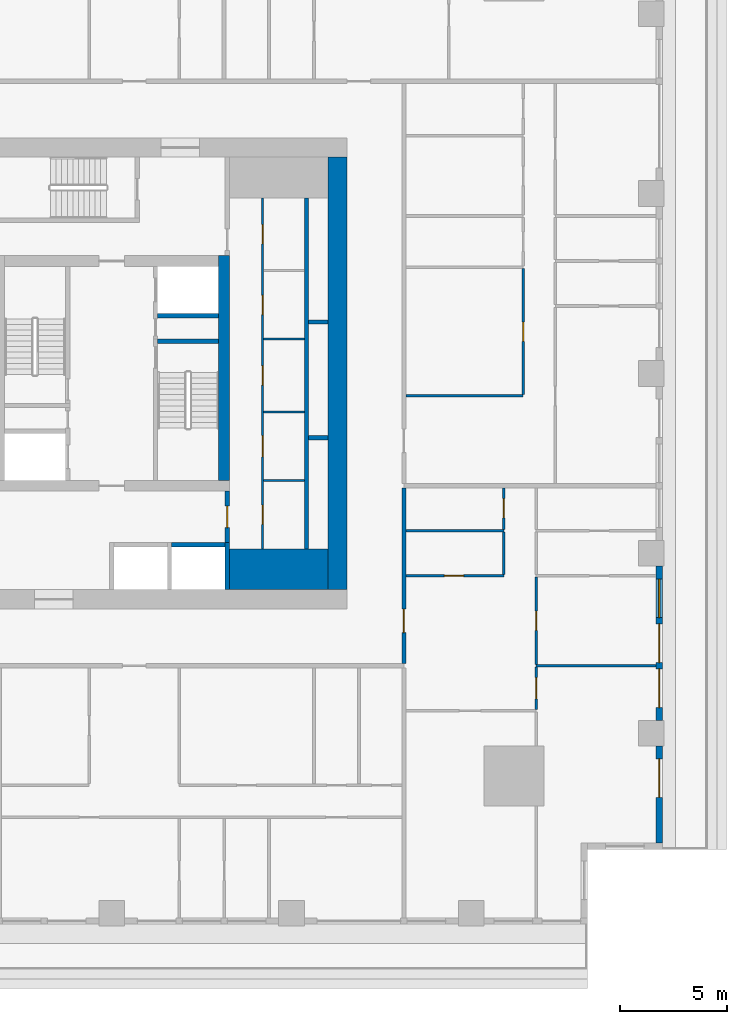
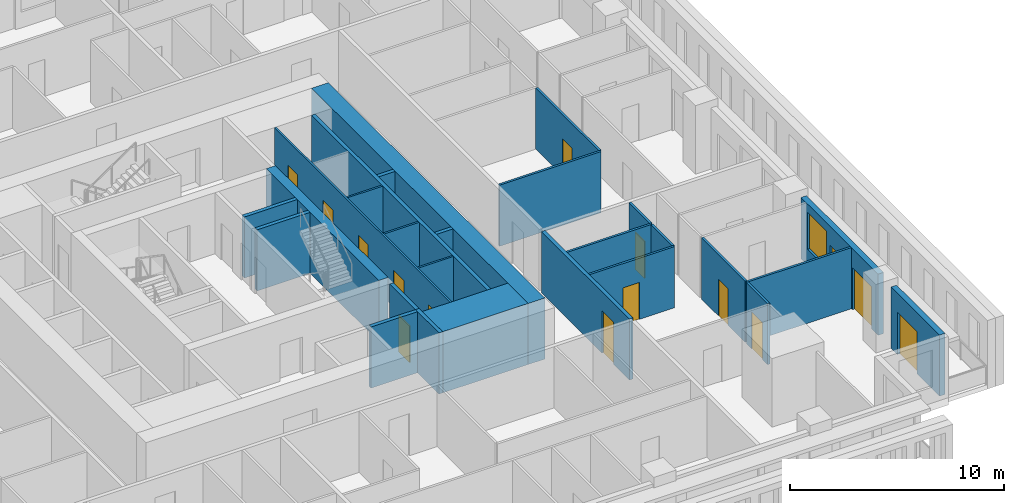
# One storey, part 5 of 15: 27 walls, 15 doors, 1 window, 16 openings.
"""IFC4 building model written with IfcOpenShell, lengths in metres."""

from ifc_helpers import new_model, si_unit, direction, frame, frame_2d, origin, place, context, subcontext, project, spatial, rectangle, extrude, material, layer, layer_set, type_object, element, fill, save


model = new_model("IFC4")

# Units and contexts
model_context = context("Model", 3, precision=1e-05, world=origin(), true_north=direction((0.0, 1.0)))
body_context = subcontext(model_context, "Body", "Model", "MODEL_VIEW")
ifc_project = project(units=[si_unit("LENGTHUNIT", "METRE"), si_unit("AREAUNIT", "SQUARE_METRE"), si_unit("VOLUMEUNIT", "CUBIC_METRE"), si_unit("PLANEANGLEUNIT", "RADIAN"), si_unit("MASSUNIT", "GRAM", prefix="KILO")], contexts=[model_context])

# Site, building, storey
site_placement = place(None, origin())
site = spatial("IfcSite", under=ifc_project, at=site_placement, CompositionType="ELEMENT")
building_placement = place(site_placement, origin())
building = spatial("IfcBuilding", under=site, at=building_placement, Name="Khepri Terraces", CompositionType="ELEMENT")
storey_placement = place(building_placement, frame((0.0, 0.0, 118.199951171875)))
storey = spatial("IfcBuildingStorey", under=building, at=storey_placement, Name="L28", CompositionType="ELEMENT", Elevation=118.199951171875)

# Walls
ifc_material_1 = material(Name="Concrete C70/85", Category="concrete")
ifc_layer_1 = layer(ifc_material_1, 1.89990234375, Name="Concrete C70/85", Category="concrete")
ifc_layer_set_1 = layer_set([ifc_layer_1], Name="Concrete C70/85")
wall_type_1 = type_object("IfcWallType", Name="Core wall 1900 C70/85", PredefinedType="SHEAR", material=ifc_layer_set_1)
wall_1_placement = place(storey_placement, frame((5.5, -9.14990234375, 0.0), z_axis=(0.0, 0.0, 1.0), x_axis=(1.0, 0.0, 0.0)))
element("IfcWall", 1, at=wall_1_placement, inside=storey, type_object=wall_type_1, Name="Core wall PR02 L28", PredefinedType="SHEAR", context=body_context, shape_type="SweptSolid", body=[
    extrude(rectangle(XDim=4.60009765625, YDim=1.89990234375, at=frame_2d((2.300048828125, 0.0))), origin(), (0.0, 0.0, 1.0), 3.47998046875),
])
ifc_layer_2 = layer(ifc_material_1, 0.199951171875, Name="Concrete C70/85", Category="concrete")
ifc_layer_set_2 = layer_set([ifc_layer_2], Name="Concrete C70/85")
wall_type_2 = type_object("IfcWallType", Name="Core wall 200 C70/85", PredefinedType="SHEAR", material=ifc_layer_set_2)
wall_2_placement = place(storey_placement, frame((2.14990234375, 1.5, 0.0), z_axis=(0.0, 0.0, 1.0), x_axis=(1.0, 0.0, 0.0)))
element("IfcWall", 2, at=wall_2_placement, inside=storey, type_object=wall_type_2, Name="Core wall ST04 L28", PredefinedType="SHEAR", context=body_context, shape_type="SweptSolid", body=[
    extrude(rectangle(XDim=2.85009765625, YDim=0.199951171875, at=frame_2d((1.425048828125, 0.0))), origin(), (0.0, 0.0, 1.0), 3.47998046875),
])
wall_3_placement = place(storey_placement, frame((5.39990234375, -10.10009765625, 0.0), z_axis=(0.0, 0.0, 1.0), x_axis=(0.0, 1.0, 0.0)))
element("IfcWall", 3, at=wall_3_placement, inside=storey, type_object=wall_type_2, Name="Core wall SH03 L28", PredefinedType="SHEAR", context=body_context, shape_type="SweptSolid", body=[
    extrude(rectangle(XDim=2.2001953125, YDim=0.199951171875, at=frame_2d((1.10009765625, 0.0))), origin(), (0.0, 0.0, 1.0), 3.47998046875),
])
wall_4_placement = place(storey_placement, frame((9.10009765625, -8.199951171875, 0.0), z_axis=(0.0, 0.0, 1.0), x_axis=(0.0, 1.0, 0.0)))
element("IfcWall", 4, at=wall_4_placement, inside=storey, type_object=wall_type_2, Name="Core wall SH05 L28", PredefinedType="SHEAR", context=body_context, shape_type="SweptSolid", body=[
    extrude(rectangle(XDim=16.39990234375, YDim=0.199951171875, at=frame_2d((8.199951171875, 0.0))), origin(), (0.0, 0.0, 1.0), 3.47998046875),
])
wall_5_placement = place(storey_placement, frame((2.800048828125, -8.0, 0.0), z_axis=(0.0, 0.0, 1.0), x_axis=(1.0, 0.0, 0.0)))
element("IfcWall", 5, at=wall_5_placement, inside=storey, type_object=wall_type_2, Name="Core wall SH07 L28", PredefinedType="SHEAR", context=body_context, shape_type="SweptSolid", body=[
    extrude(rectangle(XDim=2.5, YDim=0.199951171875, at=frame_2d((1.25, 0.0))), origin(), (0.0, 0.0, 1.0), 3.47998046875),
])
for number, where, z_axis, x_axis, name in (
    (6, (9.199951171875, -3.0, 0.0), (0.0, 0.0, 1.0), (1.0, 0.0, 0.0), "Core wall SH11 L28"),
    (7, (9.199951171875, 2.39990234375, 0.0), (0.0, 0.0, 1.0), (1.0, 0.0, 0.0), "Core wall SH16 L28"),
):
    element("IfcWall", number, at=place(storey_placement, frame(where, z_axis=z_axis, x_axis=x_axis)), inside=storey, type_object=wall_type_2, Name=name, PredefinedType="SHEAR", context=body_context, shape_type="SweptSolid", body=[
        extrude(rectangle(XDim=0.900146484375, YDim=0.199951171875, at=frame_2d((0.4501953125, 0.0))), origin(), (0.0, 0.0, 1.0), 3.47998046875),
    ])
wall_6_placement = place(storey_placement, frame((2.14990234375, 2.699951171875, 0.0), z_axis=(0.0, 0.0, 1.0), x_axis=(1.0, 0.0, 0.0)))
element("IfcWall", 8, at=wall_6_placement, inside=storey, type_object=wall_type_2, Name="Core wall SH18 L28", PredefinedType="SHEAR", context=body_context, shape_type="SweptSolid", body=[
    extrude(rectangle(XDim=2.85009765625, YDim=0.199951171875, at=frame_2d((1.425048828125, 0.0))), origin(), (0.0, 0.0, 1.0), 3.47998046875),
])
ifc_layer_3 = layer(ifc_material_1, 0.5, Name="Concrete C70/85", Category="concrete")
ifc_layer_set_3 = layer_set([ifc_layer_3], Name="Concrete C70/85")
wall_type_3 = type_object("IfcWallType", Name="Core wall 500 C70/85", PredefinedType="SHEAR", material=ifc_layer_set_3)
wall_7_placement = place(storey_placement, frame((5.25, -5.0, 0.0), z_axis=(0.0, 0.0, 1.0), x_axis=(0.0, 1.0, 0.0)))
element("IfcWall", 9, at=wall_7_placement, inside=storey, type_object=wall_type_3, Name="Core wall BX03 L28", PredefinedType="SHEAR", context=body_context, shape_type="SweptSolid", body=[
    extrude(rectangle(XDim=10.5, YDim=0.5, at=frame_2d((5.25, 0.0))), origin(), (0.0, 0.0, 1.0), 3.47998046875),
])
ifc_layer_4 = layer(ifc_material_1, 0.89990234375, Name="Concrete C70/85", Category="concrete")
ifc_layer_set_4 = layer_set([ifc_layer_4], Name="Concrete C70/85")
wall_type_4 = type_object("IfcWallType", Name="Core wall 900 C70/85", PredefinedType="SHEAR", material=ifc_layer_set_4)
wall_8_placement = place(storey_placement, frame((10.550048828125, -10.10009765625, 0.0), z_axis=(0.0, 0.0, 1.0), x_axis=(0.0, 1.0, 0.0)))
element("IfcWall", 10, at=wall_8_placement, inside=storey, type_object=wall_type_4, Name="Core wall OW-E L28", PredefinedType="SHEAR", context=body_context, shape_type="SweptSolid", body=[
    extrude(rectangle(XDim=20.2001953125, YDim=0.89990234375, at=frame_2d((10.10009765625, 0.0))), origin(), (0.0, 0.0, 1.0), 3.47998046875),
])

# Wall, openings, doors
ifc_material_2 = material(Name="Fire-rated gypsum board partition")
ifc_layer_5 = layer(ifc_material_2, 0.10009765625, Name="Fire-rated gypsum board partition")
ifc_layer_set_5 = layer_set([ifc_layer_5], Name="Fire-rated gypsum board partition")
wall_type_5 = type_object("IfcWallType", Name="WL-CORE-PART-100", PredefinedType="PARTITIONING", material=ifc_layer_set_5)
wall_9_placement = place(storey_placement, frame((7.050048828125, -8.199951171875, 0.0), z_axis=(0.0, 0.0, 1.0), x_axis=(0.0, 1.0, 0.0)))
wall_9 = element("IfcWall", 11, at=wall_9_placement, inside=storey, type_object=wall_type_5, Name="Core partition PT02 L28", PredefinedType="PARTITIONING", context=body_context, shape_type="SweptSolid", body=[
    extrude(rectangle(XDim=16.39990234375, YDim=0.10009765625, at=frame_2d((8.199951171875, 0.0))), origin(), (0.0, 0.0, 1.0), 3.47998046875),
])
opening_1_placement = place(wall_9_placement, frame((1.14990234375, 0.0, 0.0)))
opening_1 = element("IfcOpeningElement", 12, at=opening_1_placement, cuts=wall_9, Name="Opening L28-C22", PredefinedType="OPENING", context=body_context, shape_type="SweptSolid", body=[
    extrude(rectangle(XDim=0.89990234375, YDim=2.10009765625, at=frame_2d((0.449951171875, 1.050048828125))), frame((0.0, 0.06005859375, 0.0), z_axis=(0.0, -1.0, 0.0), x_axis=(1.0, 0.0, 0.0)), (0.0, 0.0, 1.0), 0.1201171875),
])
opening_2_placement = place(wall_9_placement, frame((4.300048828125, 0.0, 0.0)))
opening_2 = element("IfcOpeningElement", 13, at=opening_2_placement, cuts=wall_9, Name="Opening L28-C23", PredefinedType="OPENING", context=body_context, shape_type="SweptSolid", body=[
    extrude(rectangle(XDim=1.0, YDim=2.10009765625, at=frame_2d((0.5, 1.050048828125))), frame((0.0, 0.06005859375, 0.0), z_axis=(0.0, -1.0, 0.0), x_axis=(1.0, 0.0, 0.0)), (0.0, 0.0, 1.0), 0.1201171875),
])
opening_3_placement = place(wall_9_placement, frame((7.64990234375, 0.0, 0.0)))
opening_3 = element("IfcOpeningElement", 14, at=opening_3_placement, cuts=wall_9, Name="Opening L28-C24", PredefinedType="OPENING", context=body_context, shape_type="SweptSolid", body=[
    extrude(rectangle(XDim=0.89990234375, YDim=2.10009765625, at=frame_2d((0.449951171875, 1.050048828125))), frame((0.0, 0.06005859375, 0.0), z_axis=(0.0, -1.0, 0.0), x_axis=(1.0, 0.0, 0.0)), (0.0, 0.0, 1.0), 0.1201171875),
])
opening_4_placement = place(wall_9_placement, frame((10.949951171875, 0.0, 0.0)))
opening_4 = element("IfcOpeningElement", 15, at=opening_4_placement, cuts=wall_9, Name="Opening L28-C25", PredefinedType="OPENING", context=body_context, shape_type="SweptSolid", body=[
    extrude(rectangle(XDim=0.89990234375, YDim=2.10009765625, at=frame_2d((0.449951171875, 1.050048828125))), frame((0.0, 0.06005859375, 0.0), z_axis=(0.0, -1.0, 0.0), x_axis=(1.0, 0.0, 0.0)), (0.0, 0.0, 1.0), 0.1201171875),
])
opening_5_placement = place(wall_9_placement, frame((14.25, 0.0, 0.0)))
opening_5 = element("IfcOpeningElement", 16, at=opening_5_placement, cuts=wall_9, Name="Opening L28-C26", PredefinedType="OPENING", context=body_context, shape_type="SweptSolid", body=[
    extrude(rectangle(XDim=0.89990234375, YDim=2.10009765625, at=frame_2d((0.449951171875, 1.050048828125))), frame((0.0, 0.06005859375, 0.0), z_axis=(0.0, -1.0, 0.0), x_axis=(1.0, 0.0, 0.0)), (0.0, 0.0, 1.0), 0.1201171875),
])
ifc_material_3 = material(Name="Painted steel", Category="steel")
door_type_1 = type_object("IfcDoorType", Name="DR-CORE-SERVICE-900", OperationType="NOTDEFINED", PredefinedType="DOOR", material=ifc_material_3)
door_1_placement = place(opening_1_placement, frame((0.89990234375, 0.0, 0.0), z_axis=(0.0, 0.0, 1.0), x_axis=(-1.0, 0.0, 0.0)))
door_1 = element("IfcDoor", 17, at=door_1_placement, inside=storey, type_object=door_type_1, Name="Service room door L28-C22", OperationType="SINGLE_SWING_RIGHT", OverallHeight=2.10009765625, OverallWidth=0.89990234375, PredefinedType="DOOR", context=body_context, shape_type="SweptSolid", body=[
    extrude(rectangle(XDim=0.89990234375, YDim=2.10009765625, at=frame_2d((0.449951171875, 1.050048828125))), frame((0.0, 0.02490234375, 0.0), z_axis=(0.0, -1.0, 0.0), x_axis=(1.0, 0.0, 0.0)), (0.0, 0.0, 1.0), 0.050048828125),
])
fill(opening_1, door_1)
door_2_placement = place(opening_3_placement, frame((0.89990234375, 0.0, 0.0), z_axis=(0.0, 0.0, 1.0), x_axis=(-1.0, 0.0, 0.0)))
door_2 = element("IfcDoor", 18, at=door_2_placement, inside=storey, type_object=door_type_1, Name="Service room door L28-C24", OperationType="SINGLE_SWING_RIGHT", OverallHeight=2.10009765625, OverallWidth=0.89990234375, PredefinedType="DOOR", context=body_context, shape_type="SweptSolid", body=[
    extrude(rectangle(XDim=0.89990234375, YDim=2.10009765625, at=frame_2d((0.449951171875, 1.050048828125))), frame((0.0, 0.02490234375, 0.0), z_axis=(0.0, -1.0, 0.0), x_axis=(1.0, 0.0, 0.0)), (0.0, 0.0, 1.0), 0.050048828125),
])
fill(opening_3, door_2)
door_3_placement = place(opening_4_placement, frame((0.89990234375, 0.0, 0.0), z_axis=(0.0, 0.0, 1.0), x_axis=(-1.0, 0.0, 0.0)))
door_3 = element("IfcDoor", 19, at=door_3_placement, inside=storey, type_object=door_type_1, Name="Service room door L28-C25", OperationType="SINGLE_SWING_LEFT", OverallHeight=2.10009765625, OverallWidth=0.89990234375, PredefinedType="DOOR", context=body_context, shape_type="SweptSolid", body=[
    extrude(rectangle(XDim=0.89990234375, YDim=2.10009765625, at=frame_2d((0.449951171875, 1.050048828125))), frame((0.0, 0.02490234375, 0.0), z_axis=(0.0, -1.0, 0.0), x_axis=(1.0, 0.0, 0.0)), (0.0, 0.0, 1.0), 0.050048828125),
])
fill(opening_4, door_3)
door_4_placement = place(opening_5_placement, frame((0.89990234375, 0.0, 0.0), z_axis=(0.0, 0.0, 1.0), x_axis=(-1.0, 0.0, 0.0)))
door_4 = element("IfcDoor", 20, at=door_4_placement, inside=storey, type_object=door_type_1, Name="Service room door L28-C26", OperationType="SINGLE_SWING_LEFT", OverallHeight=2.10009765625, OverallWidth=0.89990234375, PredefinedType="DOOR", context=body_context, shape_type="SweptSolid", body=[
    extrude(rectangle(XDim=0.89990234375, YDim=2.10009765625, at=frame_2d((0.449951171875, 1.050048828125))), frame((0.0, 0.02490234375, 0.0), z_axis=(0.0, -1.0, 0.0), x_axis=(1.0, 0.0, 0.0)), (0.0, 0.0, 1.0), 0.050048828125),
])
fill(opening_5, door_4)
ifc_material_4 = material(Name="Timber veneer", Category="wood")
door_type_2 = type_object("IfcDoorType", Name="DR-CORE-WC-1000", OperationType="NOTDEFINED", PredefinedType="DOOR", material=ifc_material_4)
door_5_placement = place(opening_2_placement, frame((1.0, 0.0, 0.0), z_axis=(0.0, 0.0, 1.0), x_axis=(-1.0, 0.0, 0.0)))
door_5 = element("IfcDoor", 21, at=door_5_placement, inside=storey, type_object=door_type_2, Name="WC door L28-C23", OperationType="SINGLE_SWING_RIGHT", OverallHeight=2.10009765625, OverallWidth=1.0, PredefinedType="DOOR", context=body_context, shape_type="SweptSolid", body=[
    extrude(rectangle(XDim=1.0, YDim=2.10009765625, at=frame_2d((0.5, 1.050048828125))), frame((0.0, 0.02490234375, 0.0), z_axis=(0.0, -1.0, 0.0), x_axis=(1.0, 0.0, 0.0)), (0.0, 0.0, 1.0), 0.050048828125),
])
fill(opening_2, door_5)

# Walls
for number, where, z_axis, x_axis, name in (
    (22, (7.10009765625, -5.0, 0.0), (0.0, 0.0, 1.0), (1.0, 0.0, 0.0), "Core partition PT04 L28"),
    (23, (7.10009765625, -1.800048828125, 0.0), (0.0, 0.0, 1.0), (1.0, 0.0, 0.0), "Core partition PT05 L28"),
    (24, (7.10009765625, 1.60009765625, 0.0), (0.0, 0.0, 1.0), (1.0, 0.0, 0.0), "Core partition PT06 L28"),
):
    element("IfcWall", number, at=place(storey_placement, frame(where, z_axis=z_axis, x_axis=x_axis)), inside=storey, type_object=wall_type_5, Name=name, PredefinedType="PARTITIONING", context=body_context, shape_type="SweptSolid", body=[
        extrude(rectangle(XDim=1.89990234375, YDim=0.10009765625, at=frame_2d((0.949951171875, 0.0))), origin(), (0.0, 0.0, 1.0), 3.47998046875),
    ])

# Wall, opening, door
ifc_layer_6 = layer(ifc_material_2, 0.199951171875, Name="Fire-rated gypsum board partition")
ifc_layer_set_6 = layer_set([ifc_layer_6], Name="Fire-rated gypsum board partition")
wall_type_6 = type_object("IfcWallType", Name="WL-CORE-PART-200", PredefinedType="PARTITIONING", material=ifc_layer_set_6)
wall_10_placement = place(storey_placement, frame((5.39990234375, -7.89990234375, 0.0), z_axis=(0.0, 0.0, 1.0), x_axis=(0.0, 1.0, 0.0)))
wall_10 = element("IfcWall", 25, at=wall_10_placement, inside=storey, type_object=wall_type_6, Name="Core partition PT03 L28", PredefinedType="PARTITIONING", context=body_context, shape_type="SweptSolid", body=[
    extrude(rectangle(XDim=2.39990234375, YDim=0.199951171875, at=frame_2d((1.199951171875, 0.0))), origin(), (0.0, 0.0, 1.0), 3.47998046875),
])
opening_6_placement = place(wall_10_placement, frame((0.699951171875, 0.0, 0.0)))
opening_6 = element("IfcOpeningElement", 26, at=opening_6_placement, cuts=wall_10, Name="Opening L28-C19", PredefinedType="OPENING", context=body_context, shape_type="SweptSolid", body=[
    extrude(rectangle(XDim=1.0, YDim=2.10009765625, at=frame_2d((0.5, 1.050048828125))), frame((0.0, 0.10986328125, 0.0), z_axis=(0.0, -1.0, 0.0), x_axis=(1.0, 0.0, 0.0)), (0.0, 0.0, 1.0), 0.219970703125),
])
door_type_3 = type_object("IfcDoorType", Name="DR-CORE-LOBBY-1000", OperationType="NOTDEFINED", PredefinedType="DOOR", material=ifc_material_3)
door_6_placement = place(opening_6_placement, origin())
door_6 = element("IfcDoor", 27, at=door_6_placement, inside=storey, type_object=door_type_3, Name="Lobby door L28-C19", OperationType="SINGLE_SWING_RIGHT", OverallHeight=2.10009765625, OverallWidth=1.0, PredefinedType="DOOR", context=body_context, shape_type="SweptSolid", body=[
    extrude(rectangle(XDim=1.0, YDim=2.10009765625, at=frame_2d((0.5, 1.050048828125))), frame((0.0, 0.02490234375, 0.0), z_axis=(0.0, -1.0, 0.0), x_axis=(1.0, 0.0, 0.0)), (0.0, 0.0, 1.0), 0.050048828125),
])
fill(opening_6, door_6)

ifc_material_5 = material(Name="Fire-rated gypsum plasterboard partition, mineral wool")
ifc_layer_7 = layer(ifc_material_5, 0.199951171875, Name="Fire-rated gypsum plasterboard partition, mineral wool")
ifc_layer_set_7 = layer_set([ifc_layer_7], Name="Fire-rated gypsum plasterboard partition, mineral wool")
wall_type_7 = type_object("IfcWallType", Name="WL-CORR-200", PredefinedType="PARTITIONING", material=ifc_layer_set_7)
wall_11_placement = place(storey_placement, frame((13.64990234375, -13.550048828125, 0.0), z_axis=(0.0, 0.0, 1.0), x_axis=(0.0, 1.0, 0.0)))
wall_11 = element("IfcWall", 28, at=wall_11_placement, inside=storey, type_object=wall_type_7, Name="Partition P-030 L28", PredefinedType="PARTITIONING", context=body_context, shape_type="SweptSolid", body=[
    extrude(rectangle(XDim=8.199951171875, YDim=0.199951171875, at=frame_2d((4.10009765625, 0.0))), origin(), (0.0, 0.0, 1.0), 3.47998046875),
])
opening_7_placement = place(wall_11_placement, frame((1.449951171875, 0.0, 0.0)))
opening_7 = element("IfcOpeningElement", 29, at=opening_7_placement, cuts=wall_11, Name="Opening D1", PredefinedType="OPENING", context=body_context, shape_type="SweptSolid", body=[
    extrude(rectangle(XDim=1.10009765625, YDim=2.39990234375, at=frame_2d((0.550048828125, 1.199951171875))), frame((0.0, 0.10986328125, 0.0), z_axis=(0.0, -1.0, 0.0), x_axis=(1.0, 0.0, 0.0)), (0.0, 0.0, 1.0), 0.219970703125),
])
ifc_material_6 = material(Name="Solid-core timber door leaf, flat entrance door", Category="wood")
door_type_4 = type_object("IfcDoorType", Name="DR-ENT-1100", OperationType="NOTDEFINED", PredefinedType="DOOR", material=ifc_material_6)
door_7_placement = place(opening_7_placement, frame((1.10009765625, 0.0, 0.0), z_axis=(0.0, 0.0, 1.0), x_axis=(-1.0, 0.0, 0.0)))
door_7 = element("IfcDoor", 30, at=door_7_placement, inside=storey, type_object=door_type_4, Name="Flat B1 entrance door", OperationType="SINGLE_SWING_RIGHT", OverallHeight=2.39990234375, OverallWidth=1.10009765625, PredefinedType="DOOR", context=body_context, shape_type="SweptSolid", body=[
    extrude(rectangle(XDim=1.10009765625, YDim=2.39990234375, at=frame_2d((0.550048828125, 1.199951171875))), frame((0.0, 0.02490234375, 0.0), z_axis=(0.0, -1.0, 0.0), x_axis=(1.0, 0.0, 0.0)), (0.0, 0.0, 1.0), 0.050048828125),
])
fill(opening_7, door_7)

ifc_material_7 = material(Name="Precast concrete C50/60 warm stone", Category="masonry")
ifc_layer_8 = layer(ifc_material_7, 0.300048828125, Name="Precast concrete C50/60 warm stone", Category="masonry")
ifc_layer_set_8 = layer_set([ifc_layer_8], Name="Precast concrete C50/60 warm stone")
wall_type_8 = type_object("IfcWallType", Name="WL-EXT-PRECAST-300", PredefinedType="STANDARD", material=ifc_layer_set_8)
wall_12_placement = place(storey_placement, frame((25.570068359375, -21.919921875, 0.0), z_axis=(0.0, 0.0, 1.0), x_axis=(0.0, 1.0, 0.0)))
wall_12 = element("IfcWall", 31, at=wall_12_placement, inside=storey, type_object=wall_type_8, Name="External wall L28 E", PredefinedType="STANDARD", context=body_context, shape_type="SweptSolid", body=[
    extrude(rectangle(XDim=4.52001953125, YDim=0.300048828125, at=frame_2d((2.260009765625, 0.0))), origin(), (0.0, 0.0, 1.0), 3.47998046875),
])
opening_8_placement = place(wall_12_placement, frame((2.1201171875, 0.0, 0.0)))
opening_8 = element("IfcOpeningElement", 32, at=opening_8_placement, cuts=wall_12, Name="Opening ED-L28-01", PredefinedType="OPENING", context=body_context, shape_type="SweptSolid", body=[
    extrude(rectangle(XDim=1.800048828125, YDim=2.39990234375, at=frame_2d((0.89990234375, 1.199951171875))), frame((0.0, 0.16015625, 0.0), z_axis=(0.0, -1.0, 0.0), x_axis=(1.0, 0.0, 0.0)), (0.0, 0.0, 1.0), 0.320068359375),
])
ifc_material_8 = material(Name="Anodised aluminium bronze glazed door", Category="aluminium")
door_type_5 = type_object("IfcDoorType", Name="DR-BAL-SLIDE-1800x2400", OperationType="NOTDEFINED", PredefinedType="DOOR", material=ifc_material_8)
door_8_placement = place(opening_8_placement, origin())
door_8 = element("IfcDoor", 33, at=door_8_placement, inside=storey, type_object=door_type_5, Name="Balcony door L28 E", OperationType="SLIDING_TO_RIGHT", OverallHeight=2.39990234375, OverallWidth=1.800048828125, PredefinedType="DOOR", context=body_context, shape_type="SweptSolid", body=[
    extrude(rectangle(XDim=1.800048828125, YDim=2.39990234375, at=frame_2d((0.89990234375, 1.199951171875))), frame((0.0, 0.02490234375, 0.0), z_axis=(0.0, -1.0, 0.0), x_axis=(1.0, 0.0, 0.0)), (0.0, 0.0, 1.0), 0.050048828125),
])
fill(opening_8, door_8)

# Wall, openings, doors, window
wall_13_placement = place(storey_placement, frame((25.570068359375, -16.199951171875, 0.0), z_axis=(0.0, 0.0, 1.0), x_axis=(0.0, 1.0, 0.0)))
wall_13 = element("IfcWall", 34, at=wall_13_placement, inside=storey, type_object=wall_type_8, Name="External wall L28 E", PredefinedType="STANDARD", context=body_context, shape_type="SweptSolid", body=[
    extrude(rectangle(XDim=7.199951171875, YDim=0.300048828125, at=frame_2d((3.60009765625, 0.0))), origin(), (0.0, 0.0, 1.0), 3.47998046875),
])
opening_9_placement = place(wall_13_placement, frame((0.60009765625, 0.0, 0.0)))
opening_9 = element("IfcOpeningElement", 35, at=opening_9_placement, cuts=wall_13, Name="Opening ED-L28-02", PredefinedType="OPENING", context=body_context, shape_type="SweptSolid", body=[
    extrude(rectangle(XDim=1.800048828125, YDim=2.39990234375, at=frame_2d((0.89990234375, 1.199951171875))), frame((0.0, 0.16015625, 0.0), z_axis=(0.0, -1.0, 0.0), x_axis=(1.0, 0.0, 0.0)), (0.0, 0.0, 1.0), 0.320068359375),
])
opening_10_placement = place(wall_13_placement, frame((2.699951171875, 0.0, 0.0)))
opening_10 = element("IfcOpeningElement", 36, at=opening_10_placement, cuts=wall_13, Name="Opening ED-L28-03", PredefinedType="OPENING", context=body_context, shape_type="SweptSolid", body=[
    extrude(rectangle(XDim=1.800048828125, YDim=2.39990234375, at=frame_2d((0.89990234375, 1.199951171875))), frame((0.0, 0.16015625, 0.0), z_axis=(0.0, -1.0, 0.0), x_axis=(1.0, 0.0, 0.0)), (0.0, 0.0, 1.0), 0.320068359375),
])
opening_11_placement = place(wall_13_placement, frame((4.800048828125, 0.0, 0.89990234375)))
opening_11 = element("IfcOpeningElement", 37, at=opening_11_placement, cuts=wall_13, Name="Opening W1", PredefinedType="OPENING", context=body_context, shape_type="SweptSolid", body=[
    extrude(rectangle(XDim=1.800048828125, YDim=2.10009765625, at=frame_2d((0.89990234375, 1.050048828125))), frame((0.0, 0.16015625, 0.0), z_axis=(0.0, -1.0, 0.0), x_axis=(1.0, 0.0, 0.0)), (0.0, 0.0, 1.0), 0.320068359375),
])
door_9_placement = place(opening_9_placement, origin())
door_9 = element("IfcDoor", 38, at=door_9_placement, inside=storey, type_object=door_type_5, Name="Balcony door L28 E", OperationType="SLIDING_TO_LEFT", OverallHeight=2.39990234375, OverallWidth=1.800048828125, PredefinedType="DOOR", context=body_context, shape_type="SweptSolid", body=[
    extrude(rectangle(XDim=1.800048828125, YDim=2.39990234375, at=frame_2d((0.89990234375, 1.199951171875))), frame((0.0, 0.02490234375, 0.0), z_axis=(0.0, -1.0, 0.0), x_axis=(1.0, 0.0, 0.0)), (0.0, 0.0, 1.0), 0.050048828125),
])
fill(opening_9, door_9)
door_10_placement = place(opening_10_placement, origin())
door_10 = element("IfcDoor", 39, at=door_10_placement, inside=storey, type_object=door_type_5, Name="Balcony door L28 E", OperationType="SLIDING_TO_RIGHT", OverallHeight=2.39990234375, OverallWidth=1.800048828125, PredefinedType="DOOR", context=body_context, shape_type="SweptSolid", body=[
    extrude(rectangle(XDim=1.800048828125, YDim=2.39990234375, at=frame_2d((0.89990234375, 1.199951171875))), frame((0.0, 0.02490234375, 0.0), z_axis=(0.0, -1.0, 0.0), x_axis=(1.0, 0.0, 0.0)), (0.0, 0.0, 1.0), 0.050048828125),
])
fill(opening_10, door_10)
ifc_material_9 = material(Name="Clear glass", Category="glass")
window_type = type_object("IfcWindowType", Name="WIN-RES-1800x2100", PartitioningType="SINGLE_PANEL", PredefinedType="WINDOW", material=ifc_material_9)
window_placement = place(opening_11_placement, origin())
window = element("IfcWindow", 40, at=window_placement, inside=storey, type_object=window_type, Name="Window L28 E", OverallHeight=2.10009765625, OverallWidth=1.800048828125, PartitioningType="SINGLE_PANEL", PredefinedType="WINDOW", context=body_context, shape_type="SweptSolid", body=[
    extrude(rectangle(XDim=1.800048828125, YDim=2.10009765625, at=frame_2d((0.89990234375, 1.050048828125))), frame((0.0, 0.030029296875, 0.0), z_axis=(0.0, -1.0, 0.0), x_axis=(1.0, 0.0, 0.0)), (0.0, 0.0, 1.0), 0.06005859375),
])
fill(opening_11, window)

# Wall, opening, door
ifc_material_10 = material(Name="Gypsum plasterboard partition")
ifc_layer_9 = layer(ifc_material_10, 0.1201171875, Name="Gypsum plasterboard partition")
ifc_layer_set_9 = layer_set([ifc_layer_9], Name="Gypsum plasterboard partition")
wall_type_9 = type_object("IfcWallType", Name="WL-PART-120", PredefinedType="PARTITIONING", material=ifc_layer_set_9)
wall_14_placement = place(storey_placement, frame((19.820068359375, -15.68994140625, 0.0), z_axis=(0.0, 0.0, 1.0), x_axis=(0.0, 1.0, 0.0)))
wall_14 = element("IfcWall", 41, at=wall_14_placement, inside=storey, type_object=wall_type_9, Name="Partition P-024 L28", PredefinedType="PARTITIONING", context=body_context, shape_type="SweptSolid", body=[
    extrude(rectangle(XDim=1.97998046875, YDim=0.1201171875, at=frame_2d((0.989990234375, 0.0))), origin(), (0.0, 0.0, 1.0), 3.47998046875),
])
opening_12_placement = place(wall_14_placement, frame((0.489990234375, 0.0, 0.0)))
opening_12 = element("IfcOpeningElement", 42, at=opening_12_placement, cuts=wall_14, Name="Opening D2", PredefinedType="OPENING", context=body_context, shape_type="SweptSolid", body=[
    extrude(rectangle(XDim=1.0, YDim=2.10009765625, at=frame_2d((0.5, 1.050048828125))), frame((0.0, 0.070068359375, 0.0), z_axis=(0.0, -1.0, 0.0), x_axis=(1.0, 0.0, 0.0)), (0.0, 0.0, 1.0), 0.14013671875),
])
ifc_material_11 = material(Name="Timber door leaf, living room door", Category="wood")
door_type_6 = type_object("IfcDoorType", Name="DR-INT-1000", OperationType="NOTDEFINED", PredefinedType="DOOR", material=ifc_material_11)
door_11_placement = place(opening_12_placement, frame((1.0, 0.0, 0.0), z_axis=(0.0, 0.0, 1.0), x_axis=(-1.0, 0.0, 0.0)))
door_11 = element("IfcDoor", 43, at=door_11_placement, inside=storey, type_object=door_type_6, Name="Door Living Room", OperationType="SINGLE_SWING_LEFT", OverallHeight=2.10009765625, OverallWidth=1.0, PredefinedType="DOOR", context=body_context, shape_type="SweptSolid", body=[
    extrude(rectangle(XDim=1.0, YDim=2.10009765625, at=frame_2d((0.5, 1.050048828125))), frame((0.0, 0.02490234375, 0.0), z_axis=(0.0, -1.0, 0.0), x_axis=(1.0, 0.0, 0.0)), (0.0, 0.0, 1.0), 0.050048828125),
])
fill(opening_12, door_11)

# Wall
wall_15_placement = place(storey_placement, frame((19.820068359375, -13.64990234375, 0.0), z_axis=(0.0, 0.0, 1.0), x_axis=(1.0, 0.0, 0.0)))
element("IfcWall", 44, at=wall_15_placement, inside=storey, type_object=wall_type_9, Name="Partition P-026 L28", PredefinedType="PARTITIONING", context=body_context, shape_type="SweptSolid", body=[
    extrude(rectangle(XDim=5.599853515625, YDim=0.1201171875, at=frame_2d((2.7998046875, 0.0))), origin(), (0.0, 0.0, 1.0), 3.47998046875),
])

# Wall, opening, door
wall_16_placement = place(storey_placement, frame((19.820068359375, -13.590087890625, 0.0), z_axis=(0.0, 0.0, 1.0), x_axis=(0.0, 1.0, 0.0)))
wall_16 = element("IfcWall", 45, at=wall_16_placement, inside=storey, type_object=wall_type_9, Name="Partition P-027 L28", PredefinedType="PARTITIONING", context=body_context, shape_type="SweptSolid", body=[
    extrude(rectangle(XDim=4.080078125, YDim=0.1201171875, at=frame_2d((2.0400390625, 0.0))), origin(), (0.0, 0.0, 1.0), 3.47998046875),
])
opening_13_placement = place(wall_16_placement, frame((1.590087890625, 0.0, 0.0)))
opening_13 = element("IfcOpeningElement", 46, at=opening_13_placement, cuts=wall_16, Name="Opening D3", PredefinedType="OPENING", context=body_context, shape_type="SweptSolid", body=[
    extrude(rectangle(XDim=0.89990234375, YDim=2.10009765625, at=frame_2d((0.449951171875, 1.050048828125))), frame((0.0, 0.070068359375, 0.0), z_axis=(0.0, -1.0, 0.0), x_axis=(1.0, 0.0, 0.0)), (0.0, 0.0, 1.0), 0.14013671875),
])
ifc_material_12 = material(Name="Timber door leaf", Category="wood")
door_type_7 = type_object("IfcDoorType", Name="DR-INT-900", OperationType="NOTDEFINED", PredefinedType="DOOR", material=ifc_material_12)
door_12_placement = place(opening_13_placement, frame((0.89990234375, 0.0, 0.0), z_axis=(0.0, 0.0, 1.0), x_axis=(-1.0, 0.0, 0.0)))
door_12 = element("IfcDoor", 47, at=door_12_placement, inside=storey, type_object=door_type_7, Name="Door Master Bedroom", OperationType="SINGLE_SWING_RIGHT", OverallHeight=2.10009765625, OverallWidth=0.89990234375, PredefinedType="DOOR", context=body_context, shape_type="SweptSolid", body=[
    extrude(rectangle(XDim=0.89990234375, YDim=2.10009765625, at=frame_2d((0.449951171875, 1.050048828125))), frame((0.0, 0.02490234375, 0.0), z_axis=(0.0, -1.0, 0.0), x_axis=(1.0, 0.0, 0.0)), (0.0, 0.0, 1.0), 0.050048828125),
])
fill(opening_13, door_12)

wall_17_placement = place(storey_placement, frame((13.75, -9.449951171875, 0.0), z_axis=(0.0, 0.0, 1.0), x_axis=(1.0, 0.0, 0.0)))
wall_17 = element("IfcWall", 48, at=wall_17_placement, inside=storey, type_object=wall_type_9, Name="Partition P-033 L28", PredefinedType="PARTITIONING", context=body_context, shape_type="SweptSolid", body=[
    extrude(rectangle(XDim=4.570068359375, YDim=0.1201171875, at=frame_2d((2.28515625, 0.0))), origin(), (0.0, 0.0, 1.0), 3.47998046875),
])
opening_14_placement = place(wall_17_placement, frame((1.784912109375, 0.0, 0.0)))
opening_14 = element("IfcOpeningElement", 49, at=opening_14_placement, cuts=wall_17, Name="Opening D4", PredefinedType="OPENING", context=body_context, shape_type="SweptSolid", body=[
    extrude(rectangle(XDim=0.89990234375, YDim=2.10009765625, at=frame_2d((0.449951171875, 1.050048828125))), frame((0.0, 0.070068359375, 0.0), z_axis=(0.0, -1.0, 0.0), x_axis=(1.0, 0.0, 0.0)), (0.0, 0.0, 1.0), 0.14013671875),
])
ifc_material_13 = material(Name="Timber door leaf, moisture resistant", Category="wood")
door_type_8 = type_object("IfcDoorType", Name="DR-WET-900", OperationType="NOTDEFINED", PredefinedType="DOOR", material=ifc_material_13)
door_13_placement = place(opening_14_placement, origin())
door_13 = element("IfcDoor", 50, at=door_13_placement, inside=storey, type_object=door_type_8, Name="Door Guest Bathroom", OperationType="SINGLE_SWING_LEFT", OverallHeight=2.10009765625, OverallWidth=0.89990234375, PredefinedType="DOOR", context=body_context, shape_type="SweptSolid", body=[
    extrude(rectangle(XDim=0.89990234375, YDim=2.10009765625, at=frame_2d((0.449951171875, 1.050048828125))), frame((0.0, 0.02490234375, 0.0), z_axis=(0.0, -1.0, 0.0), x_axis=(1.0, 0.0, 0.0)), (0.0, 0.0, 1.0), 0.050048828125),
])
fill(opening_14, door_13)

# Walls
wall_18_placement = place(storey_placement, frame((18.320068359375, -9.389892578125, 0.0), z_axis=(0.0, 0.0, 1.0), x_axis=(0.0, 1.0, 0.0)))
element("IfcWall", 51, at=wall_18_placement, inside=storey, type_object=wall_type_9, Name="Partition P-035 L28", PredefinedType="PARTITIONING", context=body_context, shape_type="SweptSolid", body=[
    extrude(rectangle(XDim=1.97998046875, YDim=0.1201171875, at=frame_2d((0.989990234375, 0.0))), origin(), (0.0, 0.0, 1.0), 3.47998046875),
])
wall_19_placement = place(storey_placement, frame((13.75, -7.35009765625, 0.0), z_axis=(0.0, 0.0, 1.0), x_axis=(1.0, 0.0, 0.0)))
element("IfcWall", 52, at=wall_19_placement, inside=storey, type_object=wall_type_9, Name="Partition P-037 L28", PredefinedType="PARTITIONING", context=body_context, shape_type="SweptSolid", body=[
    extrude(rectangle(XDim=4.570068359375, YDim=0.1201171875, at=frame_2d((2.28515625, 0.0))), origin(), (0.0, 0.0, 1.0), 3.47998046875),
])

# Wall, opening, door
wall_20_placement = place(storey_placement, frame((18.320068359375, -7.2900390625, 0.0), z_axis=(0.0, 0.0, 1.0), x_axis=(0.0, 1.0, 0.0)))
wall_20 = element("IfcWall", 53, at=wall_20_placement, inside=storey, type_object=wall_type_9, Name="Partition P-039 L28", PredefinedType="PARTITIONING", context=body_context, shape_type="SweptSolid", body=[
    extrude(rectangle(XDim=1.93994140625, YDim=0.1201171875, at=frame_2d((0.969970703125, 0.0))), origin(), (0.0, 0.0, 1.0), 3.47998046875),
])
opening_15_placement = place(wall_20_placement, frame((0.5400390625, 0.0, 0.0)))
opening_15 = element("IfcOpeningElement", 54, at=opening_15_placement, cuts=wall_20, Name="Opening D3", PredefinedType="OPENING", context=body_context, shape_type="SweptSolid", body=[
    extrude(rectangle(XDim=0.89990234375, YDim=2.10009765625, at=frame_2d((0.449951171875, 1.050048828125))), frame((0.0, 0.070068359375, 0.0), z_axis=(0.0, -1.0, 0.0), x_axis=(1.0, 0.0, 0.0)), (0.0, 0.0, 1.0), 0.14013671875),
])
door_14_placement = place(opening_15_placement, origin())
door_14 = element("IfcDoor", 55, at=door_14_placement, inside=storey, type_object=door_type_7, Name="Door Kitchen", OperationType="SINGLE_SWING_RIGHT", OverallHeight=2.10009765625, OverallWidth=0.89990234375, PredefinedType="DOOR", context=body_context, shape_type="SweptSolid", body=[
    extrude(rectangle(XDim=0.89990234375, YDim=2.10009765625, at=frame_2d((0.449951171875, 1.050048828125))), frame((0.0, 0.02490234375, 0.0), z_axis=(0.0, -1.0, 0.0), x_axis=(1.0, 0.0, 0.0)), (0.0, 0.0, 1.0), 0.050048828125),
])
fill(opening_15, door_14)

# Wall
wall_21_placement = place(storey_placement, frame((13.75, -1.050048828125, 0.0), z_axis=(0.0, 0.0, 1.0), x_axis=(1.0, 0.0, 0.0)))
element("IfcWall", 56, at=wall_21_placement, inside=storey, type_object=wall_type_9, Name="Partition P-047 L28", PredefinedType="PARTITIONING", context=body_context, shape_type="SweptSolid", body=[
    extrude(rectangle(XDim=5.469970703125, YDim=0.1201171875, at=frame_2d((2.73486328125, 0.0))), origin(), (0.0, 0.0, 1.0), 3.47998046875),
])

# Wall, opening, door
wall_22_placement = place(storey_placement, frame((19.219970703125, -0.989990234375, 0.0), z_axis=(0.0, 0.0, 1.0), x_axis=(0.0, 1.0, 0.0)))
wall_22 = element("IfcWall", 57, at=wall_22_placement, inside=storey, type_object=wall_type_9, Name="Partition P-048 L28", PredefinedType="PARTITIONING", context=body_context, shape_type="SweptSolid", body=[
    extrude(rectangle(XDim=5.8798828125, YDim=0.1201171875, at=frame_2d((2.93994140625, 0.0))), origin(), (0.0, 0.0, 1.0), 3.47998046875),
])
opening_16_placement = place(wall_22_placement, frame((2.489990234375, 0.0, 0.0)))
opening_16 = element("IfcOpeningElement", 58, at=opening_16_placement, cuts=wall_22, Name="Opening D3", PredefinedType="OPENING", context=body_context, shape_type="SweptSolid", body=[
    extrude(rectangle(XDim=0.89990234375, YDim=2.10009765625, at=frame_2d((0.449951171875, 1.050048828125))), frame((0.0, 0.070068359375, 0.0), z_axis=(0.0, -1.0, 0.0), x_axis=(1.0, 0.0, 0.0)), (0.0, 0.0, 1.0), 0.14013671875),
])
door_15_placement = place(opening_16_placement, origin())
door_15 = element("IfcDoor", 59, at=door_15_placement, inside=storey, type_object=door_type_7, Name="Door Kitchen", OperationType="SINGLE_SWING_RIGHT", OverallHeight=2.10009765625, OverallWidth=0.89990234375, PredefinedType="DOOR", context=body_context, shape_type="SweptSolid", body=[
    extrude(rectangle(XDim=0.89990234375, YDim=2.10009765625, at=frame_2d((0.449951171875, 1.050048828125))), frame((0.0, 0.02490234375, 0.0), z_axis=(0.0, -1.0, 0.0), x_axis=(1.0, 0.0, 0.0)), (0.0, 0.0, 1.0), 0.050048828125),
])
fill(opening_16, door_15)

save(model, "model.ifc")
